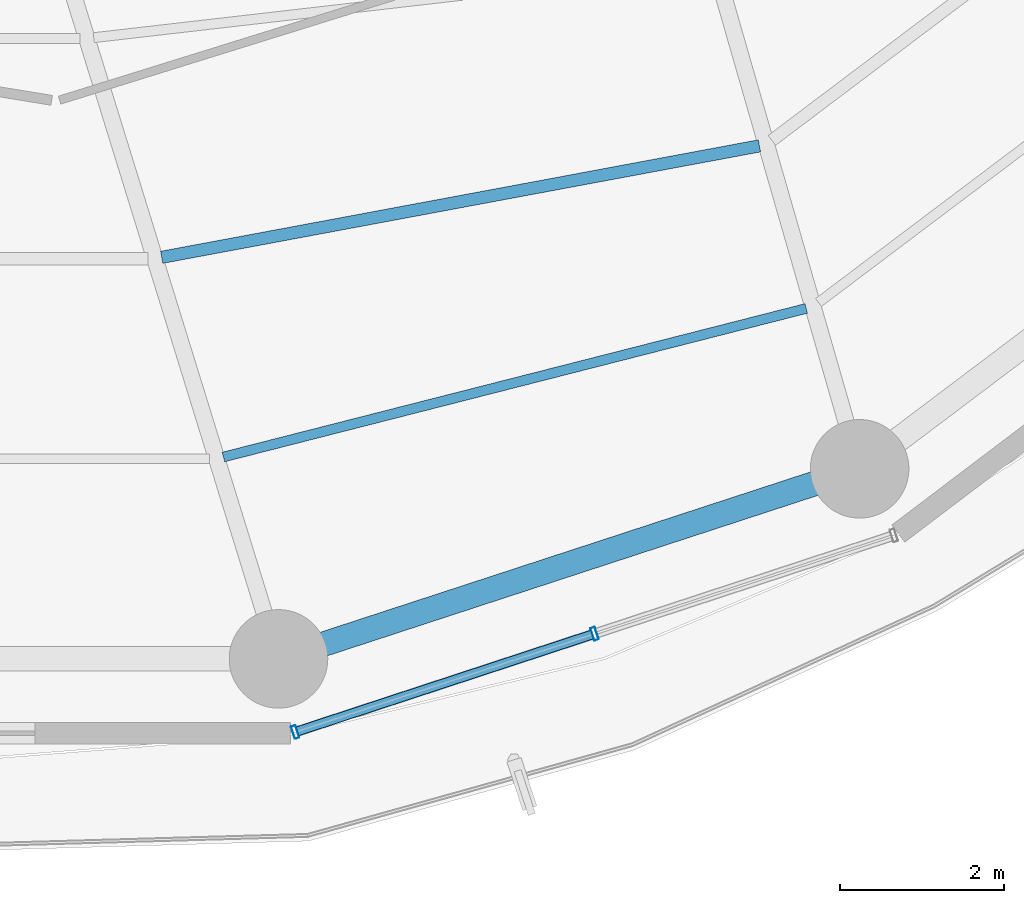
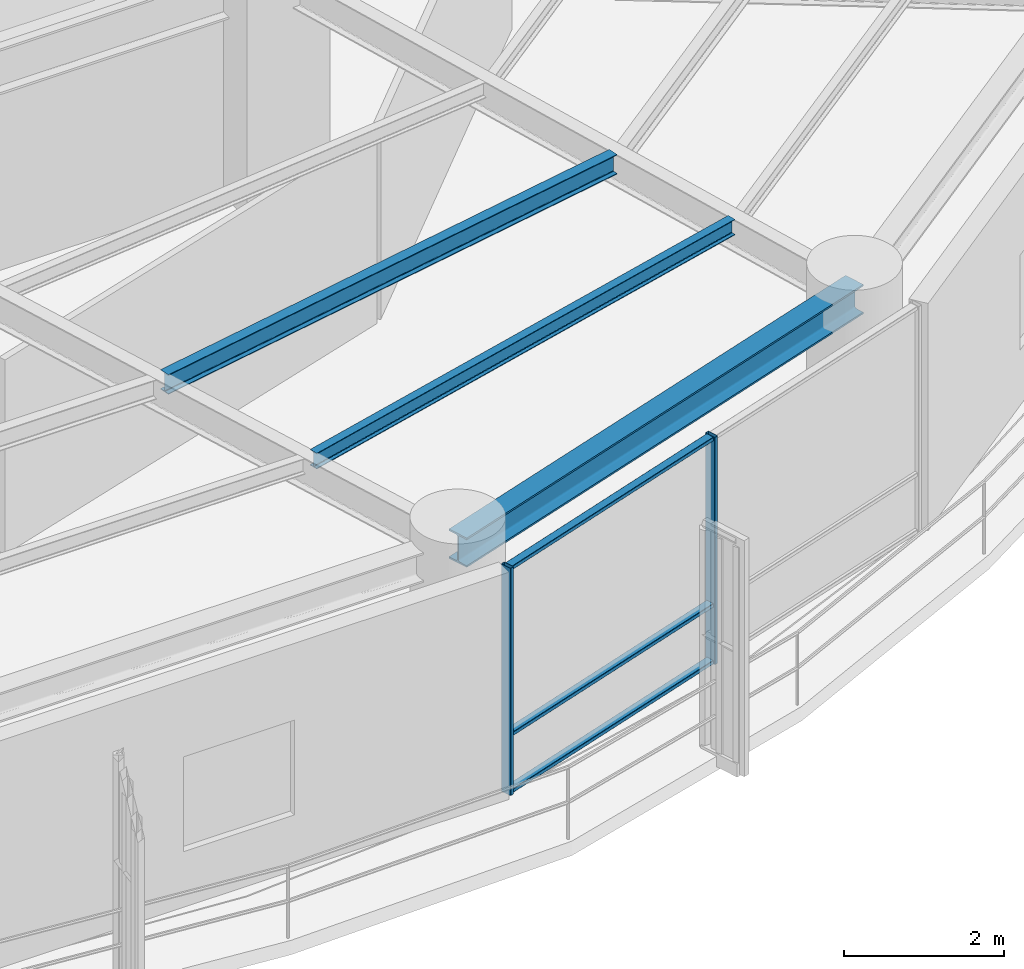
# One storey, part 4 of 28: 5 members, 3 beams, 1 element without a shape of its own.
"""IFC4 building model written with IfcOpenShell, lengths in metres."""

import ifcopenshell
import ifcopenshell.guid

model = None  # the IFC model being written
_history = None  # IfcOwnerHistory: only IFC2X3 demands one
_inside = {}  # id of a spatial element -> (the spatial element, [elements in it])
_under = {}  # id of a project, library or spatial element -> (it, [spatial elements below it])
_declared = {}  # id of a project -> (the project, [libraries it declares])
_typed = {}  # id of a type object -> (the type object, [elements of that type])
_made_of = {}  # id of a material, layer set ... -> (it, [elements and type objects made of it])


def new_model(schema):
    """Start an empty IFC model of exactly this schema.

    Asked for "IFC4X3", IfcOpenShell would pick the latest addendum, in which some entities
    have other attributes; the version numbers below select the first issue.
    IFC2X3 requires an IfcOwnerHistory on every rooted entity: one is made here for all.
    """
    global model, _history
    if schema == "IFC4X3":
        model = ifcopenshell.file(schema_version=(4, 3, 0, 0))
    else:
        model = ifcopenshell.file(schema=schema)
    _inside.clear()
    _under.clear()
    _declared.clear()
    _typed.clear()
    _made_of.clear()
    _history = None
    if model.schema == "IFC2X3":
        org = make("IfcOrganization", Name="unknown")
        user = make(
            "IfcPersonAndOrganization",
            ThePerson=make("IfcPerson", FamilyName="unknown"),
            TheOrganization=org,
        )
        app = make(
            "IfcApplication",
            ApplicationDeveloper=org,
            Version="unknown",
            ApplicationFullName="unknown",
            ApplicationIdentifier="unknown",
        )
        _history = make(
            "IfcOwnerHistory",
            OwningUser=user,
            OwningApplication=app,
            ChangeAction="ADDED",
            CreationDate=0,
        )
    return model


def make(cls, **values):
    """One entity of the class cls with the attributes given. An attribute that is None is left unset."""
    return model.create_entity(
        cls, **{name: value for name, value in values.items() if value is not None}
    )


def rooted(cls, **values):
    """An entity with a GlobalId (a new one), such as an element, a storey or a relation."""
    return make(cls, GlobalId=ifcopenshell.guid.new(), OwnerHistory=_history, **values)


def si_unit(unit_type, name, prefix=None):
    """IfcSIUnit, for example si_unit("LENGTHUNIT", "METRE", prefix="MILLI")."""
    return make("IfcSIUnit", UnitType=unit_type, Prefix=prefix, Name=name)


def assignment(units):
    """IfcUnitAssignment: the units of a project."""
    return None if units is None else make("IfcUnitAssignment", Units=units)


def point(xyz):
    """IfcCartesianPoint."""
    return None if xyz is None else make("IfcCartesianPoint", Coordinates=xyz)


def direction(xyz):
    """IfcDirection."""
    return None if xyz is None else make("IfcDirection", DirectionRatios=xyz)


def frame(location, z_axis=None, x_axis=None):
    """IfcAxis2Placement3D, a coordinate frame: its origin and axes. An axis left out is left unset."""
    return make(
        "IfcAxis2Placement3D",
        Location=point(location),
        Axis=direction(z_axis),
        RefDirection=direction(x_axis),
    )


def frame_2d(location, x_axis=None):
    """IfcAxis2Placement2D, a coordinate frame in the plane: its origin and x axis."""
    return make(
        "IfcAxis2Placement2D", Location=point(location), RefDirection=direction(x_axis)
    )


def origin():
    """The frame at (0, 0, 0) with its axes left unset."""
    return frame((0.0, 0.0, 0.0))


def origin_2d():
    """The frame at (0, 0) in the plane with its x axis left unset."""
    return frame_2d((0.0, 0.0))


def place(relative_to, where):
    """IfcLocalPlacement: puts the frame where relative to a parent placement (None: the world)."""
    return make(
        "IfcLocalPlacement", PlacementRelTo=relative_to, RelativePlacement=where
    )


def context(
    kind, dimensions, precision=None, world=None, true_north=None, identifier=None
):
    """IfcGeometricRepresentationContext, for example the 3D "Model" context."""
    return make(
        "IfcGeometricRepresentationContext",
        ContextIdentifier=identifier,
        ContextType=kind,
        CoordinateSpaceDimension=dimensions,
        Precision=precision,
        WorldCoordinateSystem=world,
        TrueNorth=true_north,
    )


def subcontext(parent, identifier, kind, view, scale=None):
    """IfcGeometricRepresentationSubContext, for example "Body" below "Model"."""
    return make(
        "IfcGeometricRepresentationSubContext",
        ContextIdentifier=identifier,
        ContextType=kind,
        ParentContext=parent,
        TargetScale=scale,
        TargetView=view,
    )


def project(units=None, contexts=None):
    """IfcProject with its units and contexts."""
    return rooted(
        "IfcProject",
        Name="project",
        RepresentationContexts=contexts,
        UnitsInContext=assignment(units),
    )


def spatial(cls, under=None, at=None, **own):
    """A site, building, storey or space (cls), placed at a placement, below another one or the project."""
    s = rooted(cls, ObjectPlacement=at, **own)
    if under is not None:
        _under.setdefault(under.id(), (under, []))[1].append(s)
    return s


def profile(cls, at=None, kind="AREA", **sizes):
    """A parametric profile (cls). Its sizes go by their IFC names, for example OverallWidth=200.0."""
    return make(cls, ProfileType=kind, Position=at, **sizes)


def hollow_rectangle(**sizes):
    """IfcRectangleHollowProfileDef."""
    return profile("IfcRectangleHollowProfileDef", **sizes)


def i_section(**sizes):
    """IfcIShapeProfileDef."""
    return profile("IfcIShapeProfileDef", **sizes)


def extrude(swept, where, along, depth):
    """IfcExtrudedAreaSolid: the profile swept, set in the frame where, extruded along a direction by depth."""
    return make(
        "IfcExtrudedAreaSolid",
        SweptArea=swept,
        Position=where,
        ExtrudedDirection=direction(along),
        Depth=depth,
    )


def shape(context_of_items, identifier, shape_type, items):
    """IfcShapeRepresentation: the items that make up one representation, for example the "Body"."""
    return make(
        "IfcShapeRepresentation",
        ContextOfItems=context_of_items,
        RepresentationIdentifier=identifier,
        RepresentationType=shape_type,
        Items=items,
    )


def material(Name=None, Category=None):
    """IfcMaterial."""
    return make("IfcMaterial", Name=Name, Category=Category)


def layer(
    of_material, thickness, ventilated=None, Name=None, Category=None, Priority=None
):
    """IfcMaterialLayer: one layer of a wall or slab, of a material (None: an air gap)."""
    return make(
        "IfcMaterialLayer",
        Material=of_material,
        LayerThickness=thickness,
        IsVentilated=ventilated,
        Name=Name,
        Category=Category,
        Priority=Priority,
    )


def layer_set(layers, Name=None):
    """IfcMaterialLayerSet."""
    return make("IfcMaterialLayerSet", MaterialLayers=layers, LayerSetName=Name)


def material_profile(
    of_material, cross_section, Name=None, Category=None, Priority=None
):
    """IfcMaterialProfile: a cross section and its material."""
    return make(
        "IfcMaterialProfile",
        Name=Name,
        Material=of_material,
        Profile=cross_section,
        Priority=Priority,
        Category=Category,
    )


def profile_set(profiles, Name=None, composite=None):
    """IfcMaterialProfileSet."""
    return make(
        "IfcMaterialProfileSet",
        Name=Name,
        MaterialProfiles=profiles,
        CompositeProfile=composite,
    )


def made_of(thing, what):
    """Note that an element or type object is made of a material, layer set ...; save() writes the relation."""
    if what is not None:
        _made_of.setdefault(what.id(), (what, []))[1].append(thing)
    return thing


def type_object(cls, material=None, **own):
    """A type object (cls), such as IfcWallType, which elements share."""
    return made_of(rooted(cls, **own), material)


def element(
    cls,
    number,
    at=None,
    inside=None,
    cuts=None,
    type_object=None,
    material=None,
    context=None,
    identifier="Body",
    shape_type=None,
    held_by="IfcProductDefinitionShape",
    body=None,
    shapes=None,
    **own,
):
    """One element of the class cls, such as IfcWall. Its Tag is "e" and its number.

    at: its placement. inside: the storey or other place that contains it. cuts: it is an
    opening in that element (IfcRelVoidsElement). A single representation is given by context,
    identifier, shape_type and body (its items); several are given by shapes. held_by: the class
    of the entity that holds the representations. save() writes the other relations.
    """
    e = rooted(cls, Tag="e%d" % number, ObjectPlacement=at, **own)
    if body is not None:
        shapes = [shape(context, identifier, shape_type, body)]
    if shapes is not None:
        e.Representation = make(held_by, Representations=shapes)
    if inside is not None:
        _inside.setdefault(inside.id(), (inside, []))[1].append(e)
    if cuts is not None:
        rooted(
            "IfcRelVoidsElement", RelatingBuildingElement=cuts, RelatedOpeningElement=e
        )
    if type_object is not None:
        _typed.setdefault(type_object.id(), (type_object, []))[1].append(e)
    return made_of(e, material)


def aggregate(whole, parts):
    """IfcRelAggregates: a whole, such as a stair, and the parts it consists of."""
    return rooted("IfcRelAggregates", RelatingObject=whole, RelatedObjects=parts)


def save(model, path):
    """Write the relations noted so far, then the file.

    IfcRelAggregates (storeys below a building ...), IfcRelContainedInSpatialStructure (elements
    in a storey), IfcRelDefinesByType, IfcRelAssociatesMaterial and IfcRelDeclares: one each for
    every whole, place, type object, material and project.
    """
    for whole, parts in _under.values():
        aggregate(whole, parts)
    for where, things in _inside.values():
        rooted(
            "IfcRelContainedInSpatialStructure",
            RelatedElements=things,
            RelatingStructure=where,
        )
    for kind, things in _typed.values():
        rooted("IfcRelDefinesByType", RelatedObjects=things, RelatingType=kind)
    for what, things in _made_of.values():
        rooted("IfcRelAssociatesMaterial", RelatedObjects=things, RelatingMaterial=what)
    for by, libraries in _declared.values():
        rooted("IfcRelDeclares", RelatingContext=by, RelatedDefinitions=libraries)
    model.write(path)


model = new_model("IFC4")

# Units and contexts
model_context = context("Model", 3, precision=1e-05, world=origin(), true_north=direction((0.0, 1.0)))
body_context = subcontext(model_context, "Body", "Model", "MODEL_VIEW")
ifc_project = project(units=[si_unit("LENGTHUNIT", "METRE"), si_unit("AREAUNIT", "SQUARE_METRE"), si_unit("VOLUMEUNIT", "CUBIC_METRE"), si_unit("PLANEANGLEUNIT", "RADIAN"), si_unit("MASSUNIT", "GRAM", prefix="KILO")], contexts=[model_context])

# Site, building, storey
site_placement = place(None, origin())
site = spatial("IfcSite", under=ifc_project, at=site_placement, CompositionType="ELEMENT")
building_placement = place(site_placement, origin())
building = spatial("IfcBuilding", under=site, at=building_placement, Name="Kelanora Arch Commons", CompositionType="ELEMENT")
storey_placement = place(building_placement, frame((0.0, 0.0, 158.10009765625)))
storey = spatial("IfcBuildingStorey", under=building, at=storey_placement, Name="L40", CompositionType="ELEMENT", Elevation=158.10009765625)

# Beams
ifc_material_1 = material(Name="Steel S355", Category="steel")
ifc_material_profile_1 = material_profile(ifc_material_1, i_section(OverallWidth=0.14990234375, OverallDepth=0.300048828125, WebThickness=0.007080078125, FlangeThickness=0.0107421875, FilletRadius=0.014892578125, at=origin_2d()), Name="IPE300")
ifc_profile_set_1 = profile_set([ifc_material_profile_1], Name="Steel S355")
beam_type_1 = type_object("IfcBeamType", Name="BM-JST-01", PredefinedType="JOIST", material=ifc_profile_set_1)
beam_1_placement = place(storey_placement, frame((76.34228515625, 43.705078125, 3.33984375), z_axis=(0.983054256126, 0.183314837134, 0.0), x_axis=(-0.183314837134, 0.983054256126, 0.0)))
element("IfcBeam", 1, at=beam_1_placement, inside=storey, type_object=beam_type_1, Name="Secondary Chord Joist BJB-28 L40", PredefinedType="JOIST", context=body_context, shape_type="SweptSolid", body=[
    extrude(i_section(OverallWidth=0.14990234375, OverallDepth=0.300048828125, WebThickness=0.007080078125, FlangeThickness=0.0107421875, FilletRadius=0.014892578125, at=origin_2d()), origin(), (0.0, 0.0, 1.0), 7.403564453125),
])
ifc_material_profile_2 = material_profile(ifc_material_1, i_section(OverallWidth=0.1201171875, OverallDepth=0.239990234375, WebThickness=0.006103515625, FlangeThickness=0.009765625, FilletRadius=0.014892578125, at=origin_2d()), Name="IPE240")
ifc_profile_set_2 = profile_set([ifc_material_profile_2], Name="Steel S355")
beam_type_2 = type_object("IfcBeamType", Name="BM-JST-02", PredefinedType="JOIST", material=ifc_profile_set_2)
beam_2_placement = place(storey_placement, frame((77.093994140625, 41.273681640625, 3.369873046875), z_axis=(0.96900232943, 0.247051584815, 0.0), x_axis=(-0.247051584815, 0.96900232943, 0.0)))
element("IfcBeam", 2, at=beam_2_placement, inside=storey, type_object=beam_type_2, Name="Secondary Chord Joist BJC-28 L40", PredefinedType="JOIST", context=body_context, shape_type="SweptSolid", body=[
    extrude(i_section(OverallWidth=0.1201171875, OverallDepth=0.239990234375, WebThickness=0.006103515625, FlangeThickness=0.009765625, FilletRadius=0.014892578125, at=origin_2d()), origin(), (0.0, 0.0, 1.0), 7.32275390625),
])
ifc_material_profile_3 = material_profile(ifc_material_1, i_section(OverallWidth=0.300048828125, OverallDepth=0.449951171875, WebThickness=0.013916015625, FlangeThickness=0.02587890625, FilletRadius=0.027099609375, at=origin_2d()), Name="HEB450")
ifc_profile_set_3 = profile_set([ifc_material_profile_3], Name="Steel S355")
beam_type_3 = type_object("IfcBeamType", Name="BM-SPN-Z3", PredefinedType="SPANDREL", material=ifc_profile_set_3)
beam_3_placement = place(storey_placement, frame((77.7646484375, 38.81591796875, 3.264892578125), z_axis=(0.950461975786, 0.310840847676, 0.0), x_axis=(-0.310840847676, 0.950461975786, 0.0)))
element("IfcBeam", 3, at=beam_3_placement, inside=storey, type_object=beam_type_3, Name="Perimeter Spandrel Beam BS-28 L40", PredefinedType="SPANDREL", context=body_context, shape_type="SweptSolid", body=[
    extrude(i_section(OverallWidth=0.300048828125, OverallDepth=0.449951171875, WebThickness=0.013916015625, FlangeThickness=0.02587890625, FilletRadius=0.027099609375, at=origin_2d()), origin(), (0.0, 0.0, 1.0), 7.444091796875),
])

# Curtain wall, members
ifc_material_2 = material(Name="Terracotta ceramic-fritted low-E glass and aluminium", Category="masonry")
ifc_layer = layer(ifc_material_2, 0.175048828125)
ifc_layer_set = layer_set([ifc_layer], Name="Terracotta ceramic-fritted low-E glass and aluminium")
curtain_wall_type = type_object("IfcCurtainWallType", Name="CW-SYS-02", PredefinedType="NOTDEFINED", material=ifc_layer_set)
curtain_wall_placement = place(storey_placement, origin())
curtain_wall = element("IfcCurtainWall", 4, at=curtain_wall_placement, inside=storey, type_object=curtain_wall_type, Name="Unitised Curtain Wall L40-B14", PredefinedType="NOTDEFINED")
ifc_material_3 = material(Name="Powder-coated aluminium terracotta", Category="masonry")
ifc_material_profile_4 = material_profile(ifc_material_3, hollow_rectangle(XDim=0.159912109375, YDim=0.06005859375, WallThickness=0.0048828125, InnerFilletRadius=0.0048828125, OuterFilletRadius=0.010009765625, at=origin_2d()), Name="CWM160x60")
ifc_profile_set_4 = profile_set([ifc_material_profile_4], Name="Powder-coated aluminium terracotta")
member_type_1 = type_object("IfcMemberType", Name="CWM-STD", PredefinedType="MULLION", material=ifc_profile_set_4)
member_1_placement = place(storey_placement, frame((77.96728515625, 37.924072265625, 0.0), z_axis=(0.0, 0.0, 1.0), x_axis=(-0.312128279571, 0.95003996605, 0.0)))
member_1 = element("IfcMember", 5, at=member_1_placement, type_object=member_type_1, Name="CW-02 mullion 1", PredefinedType="MULLION", context=body_context, shape_type="SweptSolid", body=[
    extrude(hollow_rectangle(XDim=0.159912109375, YDim=0.06005859375, WallThickness=0.0048828125, InnerFilletRadius=0.0048828125, OuterFilletRadius=0.010009765625, at=origin_2d()), origin(), (0.0, 0.0, 1.0), 3.474853515625),
])
member_2_placement = place(storey_placement, frame((81.6123046875, 39.12158203125, 0.0), z_axis=(0.0, 0.0, 1.0), x_axis=(-0.312128279571, 0.95003996605, 0.0)))
member_2 = element("IfcMember", 6, at=member_2_placement, type_object=member_type_1, Name="CW-02 mullion 2", PredefinedType="MULLION", context=body_context, shape_type="SweptSolid", body=[
    extrude(hollow_rectangle(XDim=0.159912109375, YDim=0.06005859375, WallThickness=0.0048828125, InnerFilletRadius=0.0048828125, OuterFilletRadius=0.010009765625, at=origin_2d()), origin(), (0.0, 0.0, 1.0), 3.474853515625),
])
ifc_material_profile_5 = material_profile(ifc_material_3, hollow_rectangle(XDim=0.1201171875, YDim=0.06005859375, WallThickness=0.0048828125, InnerFilletRadius=0.0048828125, OuterFilletRadius=0.010009765625, at=origin_2d()), Name="CWT120x60")
ifc_profile_set_5 = profile_set([ifc_material_profile_5], Name="Powder-coated aluminium terracotta")
member_type_2 = type_object("IfcMemberType", Name="CWT-STD", PredefinedType="USERDEFINED", material=ifc_profile_set_5)
member_3_placement = place(storey_placement, frame((77.99560546875, 37.933349609375, 0.02978515625), z_axis=(0.950051191155, 0.312094111104, 0.0), x_axis=(-0.312094111104, 0.950051191155, 0.0)))
member_3 = element("IfcMember", 7, at=member_3_placement, type_object=member_type_2, Name="CW-02 transom 1.1", ObjectType="TRANSOM", PredefinedType="USERDEFINED", context=body_context, shape_type="SweptSolid", body=[
    extrude(hollow_rectangle(XDim=0.1201171875, YDim=0.06005859375, WallThickness=0.0048828125, InnerFilletRadius=0.0048828125, OuterFilletRadius=0.010009765625, at=origin_2d()), origin(), (0.0, 0.0, 1.0), 3.77685546875),
])
member_4_placement = place(storey_placement, frame((77.99560546875, 37.933349609375, 0.89990234375), z_axis=(0.950051191155, 0.312094111104, 0.0), x_axis=(-0.312094111104, 0.950051191155, 0.0)))
member_4 = element("IfcMember", 8, at=member_4_placement, type_object=member_type_2, Name="CW-02 transom 1.2", ObjectType="TRANSOM", PredefinedType="USERDEFINED", context=body_context, shape_type="SweptSolid", body=[
    extrude(hollow_rectangle(XDim=0.1201171875, YDim=0.06005859375, WallThickness=0.0048828125, InnerFilletRadius=0.0048828125, OuterFilletRadius=0.010009765625, at=origin_2d()), origin(), (0.0, 0.0, 1.0), 3.77685546875),
])
member_5_placement = place(storey_placement, frame((77.99560546875, 37.933349609375, 3.44482421875), z_axis=(0.950051191155, 0.312094111104, 0.0), x_axis=(-0.312094111104, 0.950051191155, 0.0)))
member_5 = element("IfcMember", 9, at=member_5_placement, type_object=member_type_2, Name="CW-02 transom 1.3", ObjectType="TRANSOM", PredefinedType="USERDEFINED", context=body_context, shape_type="SweptSolid", body=[
    extrude(hollow_rectangle(XDim=0.1201171875, YDim=0.06005859375, WallThickness=0.0048828125, InnerFilletRadius=0.0048828125, OuterFilletRadius=0.010009765625, at=origin_2d()), origin(), (0.0, 0.0, 1.0), 3.77685546875),
])
aggregate(curtain_wall, [member_1, member_2, member_3, member_4, member_5])

save(model, "model.ifc")
